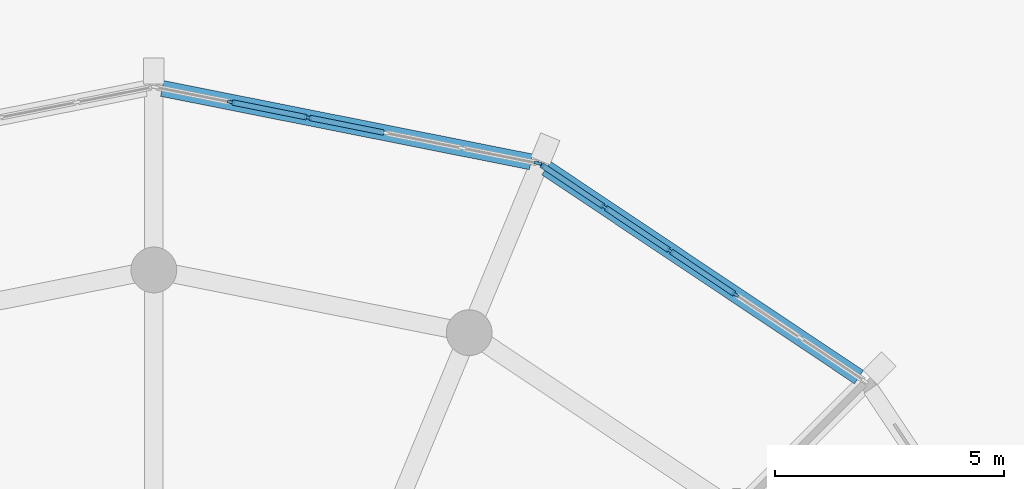
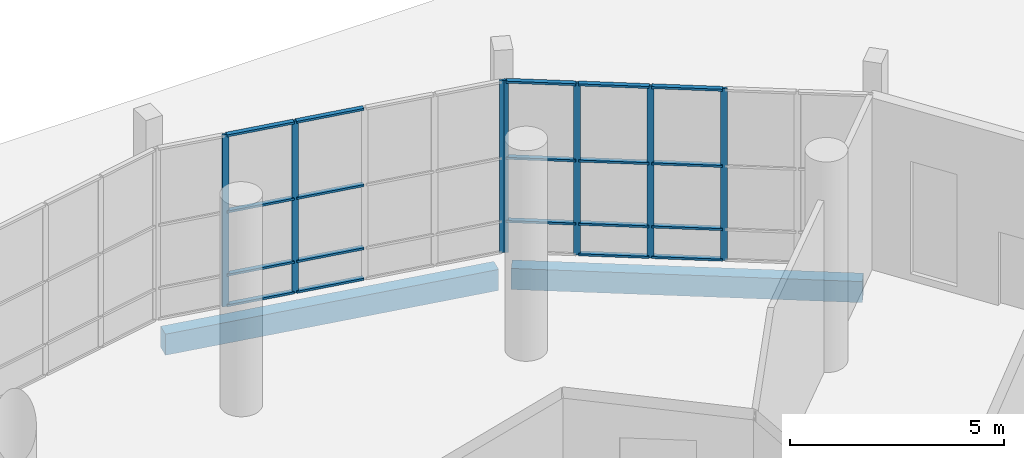
# One storey, part 115 of 226: 26 members, 2 beams, 2 elements without a shape of their own.
"""IFC4 building model written with IfcOpenShell, lengths in metres."""

from ifc_helpers import new_model, si_unit, direction, frame, origin, origin_2d, place, context, subcontext, project, spatial, rectangle, extrude, material, material_profile, profile_set, type_object, element, aggregate, save


model = new_model("IFC4")

# Units and contexts
model_context = context("Model", 3, precision=1e-05, world=origin(), true_north=direction((0.0, 1.0)))
body_context = subcontext(model_context, "Body", "Model", "MODEL_VIEW")
ifc_project = project(units=[si_unit("LENGTHUNIT", "METRE"), si_unit("AREAUNIT", "SQUARE_METRE"), si_unit("VOLUMEUNIT", "CUBIC_METRE"), si_unit("PLANEANGLEUNIT", "RADIAN"), si_unit("MASSUNIT", "GRAM", prefix="KILO")], contexts=[model_context])

# Site, building, storey
site_placement = place(None, origin())
site = spatial("IfcSite", under=ifc_project, at=site_placement, CompositionType="ELEMENT")
building_placement = place(site_placement, origin())
building = spatial("IfcBuilding", under=site, at=building_placement, Name="Ceibo Conservatory and Research Tower", CompositionType="ELEMENT")
storey_placement = place(building_placement, origin())
storey = spatial("IfcBuildingStorey", under=building, at=storey_placement, Name="L00", CompositionType="ELEMENT", Elevation=0.0)

# Curtain wall, members
ifc_material_1 = material(Name="Aluminium and glass", Category="aluminium")
curtain_wall_type = type_object("IfcCurtainWallType", Name="Curtain wall CW1", PredefinedType="NOTDEFINED", material=ifc_material_1)
curtain_wall_1_placement = place(storey_placement, origin())
curtain_wall_1 = element("IfcCurtainWall", 1, at=curtain_wall_1_placement, inside=storey, type_object=curtain_wall_type, Name="CW-00.03", PredefinedType="NOTDEFINED")
ifc_material_2 = material(Name="Aluminium", Category="aluminium")
ifc_material_profile_1 = material_profile(ifc_material_2, rectangle(XDim=0.06005859375, YDim=0.159912109375, at=origin_2d()), Name="Aluminium 60 x 160")
ifc_profile_set_1 = profile_set([ifc_material_profile_1], Name="Aluminium")
member_type_1 = type_object("IfcMemberType", Name="Aluminium mullion 60 x 160", PredefinedType="MULLION", material=ifc_profile_set_1)
member_1_placement = place(storey_placement, frame((60.701416015625, 137.4638671875, 0.0), z_axis=(0.0, 0.0, 1.0), x_axis=(-0.555570307219, -0.831469562724, 0.0)))
member_1 = element("IfcMember", 2, at=member_1_placement, type_object=member_type_1, Name="CW-00.03 mullion 3", PredefinedType="MULLION", context=body_context, shape_type="SweptSolid", body=[
    extrude(rectangle(XDim=0.06005859375, YDim=0.159912109375, at=origin_2d()), origin(), (0.0, 0.0, 1.0), 4.89990234375),
])
member_2_placement = place(storey_placement, frame((59.27392578125, 138.417724609375, 0.0), z_axis=(0.0, 0.0, 1.0), x_axis=(-0.555570307219, -0.831469562724, 0.0)))
member_2 = element("IfcMember", 3, at=member_2_placement, type_object=member_type_1, Name="CW-00.03 mullion 4", PredefinedType="MULLION", context=body_context, shape_type="SweptSolid", body=[
    extrude(rectangle(XDim=0.06005859375, YDim=0.159912109375, at=origin_2d()), origin(), (0.0, 0.0, 1.0), 4.89990234375),
])
member_3_placement = place(storey_placement, frame((57.846435546875, 139.37158203125, 0.0), z_axis=(0.0, 0.0, 1.0), x_axis=(-0.555570307219, -0.831469562724, 0.0)))
member_3 = element("IfcMember", 4, at=member_3_placement, type_object=member_type_1, Name="CW-00.03 mullion 5", PredefinedType="MULLION", context=body_context, shape_type="SweptSolid", body=[
    extrude(rectangle(XDim=0.06005859375, YDim=0.159912109375, at=origin_2d()), origin(), (0.0, 0.0, 1.0), 4.89990234375),
])
member_4_placement = place(storey_placement, frame((56.444091796875, 140.30859375, 0.0), z_axis=(0.0, 0.0, 1.0), x_axis=(-0.555570307219, -0.831469562724, 0.0)))
member_4 = element("IfcMember", 5, at=member_4_placement, type_object=member_type_1, Name="CW-00.03 mullion 6", PredefinedType="MULLION", context=body_context, shape_type="SweptSolid", body=[
    extrude(rectangle(XDim=0.06005859375, YDim=0.159912109375, at=origin_2d()), origin(), (0.0, 0.0, 1.0), 4.89990234375),
])

curtain_wall_2_placement = place(storey_placement, origin())
curtain_wall_2 = element("IfcCurtainWall", 6, at=curtain_wall_2_placement, inside=storey, type_object=curtain_wall_type, Name="CW-00.04", PredefinedType="NOTDEFINED")
member_5_placement = place(storey_placement, frame((56.3896484375, 140.331298828125, 0.0), z_axis=(0.0, 0.0, 1.0), x_axis=(-0.195090279221, -0.980785288916, 0.0)))
member_5 = element("IfcMember", 7, at=member_5_placement, type_object=member_type_1, Name="CW-00.04 mullion 1", PredefinedType="MULLION", context=body_context, shape_type="SweptSolid", body=[
    extrude(rectangle(XDim=0.06005859375, YDim=0.159912109375, at=origin_2d()), origin(), (0.0, 0.0, 1.0), 4.89990234375),
])
member_6_placement = place(storey_placement, frame((51.36767578125, 141.330078125, 0.0), z_axis=(0.0, 0.0, 1.0), x_axis=(-0.195090279221, -0.980785288916, 0.0)))
member_6 = element("IfcMember", 8, at=member_6_placement, type_object=member_type_1, Name="CW-00.04 mullion 4", PredefinedType="MULLION", context=body_context, shape_type="SweptSolid", body=[
    extrude(rectangle(XDim=0.06005859375, YDim=0.159912109375, at=origin_2d()), origin(), (0.0, 0.0, 1.0), 4.89990234375),
])
member_7_placement = place(storey_placement, frame((49.683837890625, 141.6650390625, 0.0), z_axis=(0.0, 0.0, 1.0), x_axis=(-0.195090279221, -0.980785288916, 0.0)))
member_7 = element("IfcMember", 9, at=member_7_placement, type_object=member_type_1, Name="CW-00.04 mullion 5", PredefinedType="MULLION", context=body_context, shape_type="SweptSolid", body=[
    extrude(rectangle(XDim=0.06005859375, YDim=0.159912109375, at=origin_2d()), origin(), (0.0, 0.0, 1.0), 4.89990234375),
])

# Member
ifc_material_profile_2 = material_profile(ifc_material_2, rectangle(XDim=0.1201171875, YDim=0.06005859375, at=origin_2d()), Name="Aluminium 60 x 120")
ifc_profile_set_2 = profile_set([ifc_material_profile_2], Name="Aluminium")
member_type_2 = type_object("IfcMemberType", Name="Aluminium transom 60 x 120", PredefinedType="USERDEFINED", material=ifc_profile_set_2)
member_8_placement = place(storey_placement, frame((60.676513671875, 137.480712890625, 0.030029296875), z_axis=(-0.831505826173, 0.555516031308, 0.0), x_axis=(-0.555516031308, -0.831505826173, 0.0)))
member_8 = element("IfcMember", 10, at=member_8_placement, type_object=member_type_2, Name="CW-00.03 transom 3.1", ObjectType="TRANSOM", PredefinedType="USERDEFINED", context=body_context, shape_type="SweptSolid", body=[
    extrude(rectangle(XDim=0.1201171875, YDim=0.06005859375, at=origin_2d()), origin(), (0.0, 0.0, 1.0), 1.65673828125),
])

member_9_placement = place(storey_placement, frame((60.676513671875, 137.480712890625, 0.89990234375), z_axis=(-0.831505826173, 0.555516031308, 0.0), x_axis=(-0.555516031308, -0.831505826173, 0.0)))
member_9 = element("IfcMember", 11, at=member_9_placement, type_object=member_type_2, Name="CW-00.03 transom 3.2", ObjectType="TRANSOM", PredefinedType="USERDEFINED", context=body_context, shape_type="SweptSolid", body=[
    extrude(rectangle(XDim=0.1201171875, YDim=0.06005859375, at=origin_2d()), origin(), (0.0, 0.0, 1.0), 1.65673828125),
])

member_10_placement = place(storey_placement, frame((60.676513671875, 137.480712890625, 2.699951171875), z_axis=(-0.831505826173, 0.555516031308, 0.0), x_axis=(-0.555516031308, -0.831505826173, 0.0)))
member_10 = element("IfcMember", 12, at=member_10_placement, type_object=member_type_2, Name="CW-00.03 transom 3.3", ObjectType="TRANSOM", PredefinedType="USERDEFINED", context=body_context, shape_type="SweptSolid", body=[
    extrude(rectangle(XDim=0.1201171875, YDim=0.06005859375, at=origin_2d()), origin(), (0.0, 0.0, 1.0), 1.65673828125),
])

member_11_placement = place(storey_placement, frame((60.676513671875, 137.480712890625, 4.8701171875), z_axis=(-0.831505826173, 0.555516031308, 0.0), x_axis=(-0.555516031308, -0.831505826173, 0.0)))
member_11 = element("IfcMember", 13, at=member_11_placement, type_object=member_type_2, Name="CW-00.03 transom 3.4", ObjectType="TRANSOM", PredefinedType="USERDEFINED", context=body_context, shape_type="SweptSolid", body=[
    extrude(rectangle(XDim=0.1201171875, YDim=0.06005859375, at=origin_2d()), origin(), (0.0, 0.0, 1.0), 1.65673828125),
])

member_12_placement = place(storey_placement, frame((59.2490234375, 138.434326171875, 0.030029296875), z_axis=(-0.831437761556, 0.555617898073, 0.0), x_axis=(-0.555617898073, -0.831437761556, 0.0)))
member_12 = element("IfcMember", 14, at=member_12_placement, type_object=member_type_2, Name="CW-00.03 transom 4.1", ObjectType="TRANSOM", PredefinedType="USERDEFINED", context=body_context, shape_type="SweptSolid", body=[
    extrude(rectangle(XDim=0.1201171875, YDim=0.06005859375, at=origin_2d()), origin(), (0.0, 0.0, 1.0), 1.656982421875),
])

member_13_placement = place(storey_placement, frame((59.2490234375, 138.434326171875, 0.89990234375), z_axis=(-0.831437761556, 0.555617898073, 0.0), x_axis=(-0.555617898073, -0.831437761556, 0.0)))
member_13 = element("IfcMember", 15, at=member_13_placement, type_object=member_type_2, Name="CW-00.03 transom 4.2", ObjectType="TRANSOM", PredefinedType="USERDEFINED", context=body_context, shape_type="SweptSolid", body=[
    extrude(rectangle(XDim=0.1201171875, YDim=0.06005859375, at=origin_2d()), origin(), (0.0, 0.0, 1.0), 1.656982421875),
])

member_14_placement = place(storey_placement, frame((59.2490234375, 138.434326171875, 2.699951171875), z_axis=(-0.831437761556, 0.555617898073, 0.0), x_axis=(-0.555617898073, -0.831437761556, 0.0)))
member_14 = element("IfcMember", 16, at=member_14_placement, type_object=member_type_2, Name="CW-00.03 transom 4.3", ObjectType="TRANSOM", PredefinedType="USERDEFINED", context=body_context, shape_type="SweptSolid", body=[
    extrude(rectangle(XDim=0.1201171875, YDim=0.06005859375, at=origin_2d()), origin(), (0.0, 0.0, 1.0), 1.656982421875),
])

member_15_placement = place(storey_placement, frame((59.2490234375, 138.434326171875, 4.8701171875), z_axis=(-0.831437761556, 0.555617898073, 0.0), x_axis=(-0.555617898073, -0.831437761556, 0.0)))
member_15 = element("IfcMember", 17, at=member_15_placement, type_object=member_type_2, Name="CW-00.03 transom 4.4", ObjectType="TRANSOM", PredefinedType="USERDEFINED", context=body_context, shape_type="SweptSolid", body=[
    extrude(rectangle(XDim=0.1201171875, YDim=0.06005859375, at=origin_2d()), origin(), (0.0, 0.0, 1.0), 1.656982421875),
])

member_16_placement = place(storey_placement, frame((57.821533203125, 139.38818359375, 0.89990234375), z_axis=(-0.831449482525, 0.555600358179, 0.0), x_axis=(-0.555600358179, -0.831449482525, 0.0)))
member_16 = element("IfcMember", 18, at=member_16_placement, type_object=member_type_2, Name="CW-00.03 transom 5.2", ObjectType="TRANSOM", PredefinedType="USERDEFINED", context=body_context, shape_type="SweptSolid", body=[
    extrude(rectangle(XDim=0.1201171875, YDim=0.06005859375, at=origin_2d()), origin(), (0.0, 0.0, 1.0), 1.626708984375),
])

member_17_placement = place(storey_placement, frame((57.821533203125, 139.38818359375, 2.699951171875), z_axis=(-0.831449482525, 0.555600358179, 0.0), x_axis=(-0.555600358179, -0.831449482525, 0.0)))
member_17 = element("IfcMember", 19, at=member_17_placement, type_object=member_type_2, Name="CW-00.03 transom 5.3", ObjectType="TRANSOM", PredefinedType="USERDEFINED", context=body_context, shape_type="SweptSolid", body=[
    extrude(rectangle(XDim=0.1201171875, YDim=0.06005859375, at=origin_2d()), origin(), (0.0, 0.0, 1.0), 1.626708984375),
])

member_18_placement = place(storey_placement, frame((57.821533203125, 139.38818359375, 4.8701171875), z_axis=(-0.831449482525, 0.555600358179, 0.0), x_axis=(-0.555600358179, -0.831449482525, 0.0)))
member_18 = element("IfcMember", 20, at=member_18_placement, type_object=member_type_2, Name="CW-00.03 transom 5.4", ObjectType="TRANSOM", PredefinedType="USERDEFINED", context=body_context, shape_type="SweptSolid", body=[
    extrude(rectangle(XDim=0.1201171875, YDim=0.06005859375, at=origin_2d()), origin(), (0.0, 0.0, 1.0), 1.626708984375),
])

aggregate(curtain_wall_1, [member_1, member_2, member_3, member_4, member_8, member_9, member_10, member_11, member_12, member_13, member_14, member_15, member_16, member_17, member_18])

member_19_placement = place(storey_placement, frame((53.02197265625, 141.0009765625, 0.030029296875), z_axis=(-0.980784172817, 0.195095890146, 0.0), x_axis=(-0.195095890146, -0.980784172817, 0.0)))
member_19 = element("IfcMember", 21, at=member_19_placement, type_object=member_type_2, Name="CW-00.04 transom 3.1", ObjectType="TRANSOM", PredefinedType="USERDEFINED", context=body_context, shape_type="SweptSolid", body=[
    extrude(rectangle(XDim=0.1201171875, YDim=0.06005859375, at=origin_2d()), origin(), (0.0, 0.0, 1.0), 1.65673828125),
])

member_20_placement = place(storey_placement, frame((53.02197265625, 141.0009765625, 0.89990234375), z_axis=(-0.980784172817, 0.195095890146, 0.0), x_axis=(-0.195095890146, -0.980784172817, 0.0)))
member_20 = element("IfcMember", 22, at=member_20_placement, type_object=member_type_2, Name="CW-00.04 transom 3.2", ObjectType="TRANSOM", PredefinedType="USERDEFINED", context=body_context, shape_type="SweptSolid", body=[
    extrude(rectangle(XDim=0.1201171875, YDim=0.06005859375, at=origin_2d()), origin(), (0.0, 0.0, 1.0), 1.65673828125),
])

member_21_placement = place(storey_placement, frame((53.02197265625, 141.0009765625, 2.699951171875), z_axis=(-0.980784172817, 0.195095890146, 0.0), x_axis=(-0.195095890146, -0.980784172817, 0.0)))
member_21 = element("IfcMember", 23, at=member_21_placement, type_object=member_type_2, Name="CW-00.04 transom 3.3", ObjectType="TRANSOM", PredefinedType="USERDEFINED", context=body_context, shape_type="SweptSolid", body=[
    extrude(rectangle(XDim=0.1201171875, YDim=0.06005859375, at=origin_2d()), origin(), (0.0, 0.0, 1.0), 1.65673828125),
])

member_22_placement = place(storey_placement, frame((53.02197265625, 141.0009765625, 4.8701171875), z_axis=(-0.980784172817, 0.195095890146, 0.0), x_axis=(-0.195095890146, -0.980784172817, 0.0)))
member_22 = element("IfcMember", 24, at=member_22_placement, type_object=member_type_2, Name="CW-00.04 transom 3.4", ObjectType="TRANSOM", PredefinedType="USERDEFINED", context=body_context, shape_type="SweptSolid", body=[
    extrude(rectangle(XDim=0.1201171875, YDim=0.06005859375, at=origin_2d()), origin(), (0.0, 0.0, 1.0), 1.65673828125),
])

member_23_placement = place(storey_placement, frame((51.338134765625, 141.3359375, 0.030029296875), z_axis=(-0.980784172817, 0.195095890146, 0.0), x_axis=(-0.195095890146, -0.980784172817, 0.0)))
member_23 = element("IfcMember", 25, at=member_23_placement, type_object=member_type_2, Name="CW-00.04 transom 4.1", ObjectType="TRANSOM", PredefinedType="USERDEFINED", context=body_context, shape_type="SweptSolid", body=[
    extrude(rectangle(XDim=0.1201171875, YDim=0.06005859375, at=origin_2d()), origin(), (0.0, 0.0, 1.0), 1.65673828125),
])

member_24_placement = place(storey_placement, frame((51.338134765625, 141.3359375, 0.89990234375), z_axis=(-0.980784172817, 0.195095890146, 0.0), x_axis=(-0.195095890146, -0.980784172817, 0.0)))
member_24 = element("IfcMember", 26, at=member_24_placement, type_object=member_type_2, Name="CW-00.04 transom 4.2", ObjectType="TRANSOM", PredefinedType="USERDEFINED", context=body_context, shape_type="SweptSolid", body=[
    extrude(rectangle(XDim=0.1201171875, YDim=0.06005859375, at=origin_2d()), origin(), (0.0, 0.0, 1.0), 1.65673828125),
])

member_25_placement = place(storey_placement, frame((51.338134765625, 141.3359375, 2.699951171875), z_axis=(-0.980784172817, 0.195095890146, 0.0), x_axis=(-0.195095890146, -0.980784172817, 0.0)))
member_25 = element("IfcMember", 27, at=member_25_placement, type_object=member_type_2, Name="CW-00.04 transom 4.3", ObjectType="TRANSOM", PredefinedType="USERDEFINED", context=body_context, shape_type="SweptSolid", body=[
    extrude(rectangle(XDim=0.1201171875, YDim=0.06005859375, at=origin_2d()), origin(), (0.0, 0.0, 1.0), 1.65673828125),
])

member_26_placement = place(storey_placement, frame((51.338134765625, 141.3359375, 4.8701171875), z_axis=(-0.980784172817, 0.195095890146, 0.0), x_axis=(-0.195095890146, -0.980784172817, 0.0)))
member_26 = element("IfcMember", 28, at=member_26_placement, type_object=member_type_2, Name="CW-00.04 transom 4.4", ObjectType="TRANSOM", PredefinedType="USERDEFINED", context=body_context, shape_type="SweptSolid", body=[
    extrude(rectangle(XDim=0.1201171875, YDim=0.06005859375, at=origin_2d()), origin(), (0.0, 0.0, 1.0), 1.65673828125),
])

aggregate(curtain_wall_2, [member_5, member_6, member_7, member_19, member_20, member_21, member_22, member_23, member_24, member_25, member_26])

# Beams
ifc_material_3 = material(Name="Concrete C35/45", Category="concrete")
ifc_material_profile_3 = material_profile(ifc_material_3, rectangle(XDim=0.35009765625, YDim=0.60009765625, at=origin_2d()), Name="RC 350x600")
ifc_profile_set_3 = profile_set([ifc_material_profile_3], Name="Concrete C35/45")
beam_type = type_object("IfcBeamType", Name="RC beam 350x600 C35", PredefinedType="BEAM", material=ifc_profile_set_3)
beam_1_placement = place(storey_placement, frame((63.4033203125, 135.658447265625, -0.64990234375), z_axis=(-0.831460092327, 0.555584480406, 0.0), x_axis=(-0.555584480406, -0.831460092327, 0.0)))
element("IfcBeam", 29, at=beam_1_placement, inside=storey, type_object=beam_type, Name="Edge beam 03 L00", PredefinedType="BEAM", context=body_context, shape_type="SweptSolid", body=[
    extrude(rectangle(XDim=0.35009765625, YDim=0.60009765625, at=origin_2d()), origin(), (0.0, 0.0, 1.0), 8.216064453125),
])
beam_2_placement = place(storey_placement, frame((56.23876953125, 140.361328125, -0.64990234375), z_axis=(-0.980788126016, 0.195076015612, 0.0), x_axis=(-0.195076015612, -0.980788126016, 0.0)))
element("IfcBeam", 30, at=beam_2_placement, inside=storey, type_object=beam_type, Name="Edge beam 04 L00", PredefinedType="BEAM", context=body_context, shape_type="SweptSolid", body=[
    extrude(rectangle(XDim=0.35009765625, YDim=0.60009765625, at=origin_2d()), origin(), (0.0, 0.0, 1.0), 8.21630859375),
])

save(model, "model.ifc")
